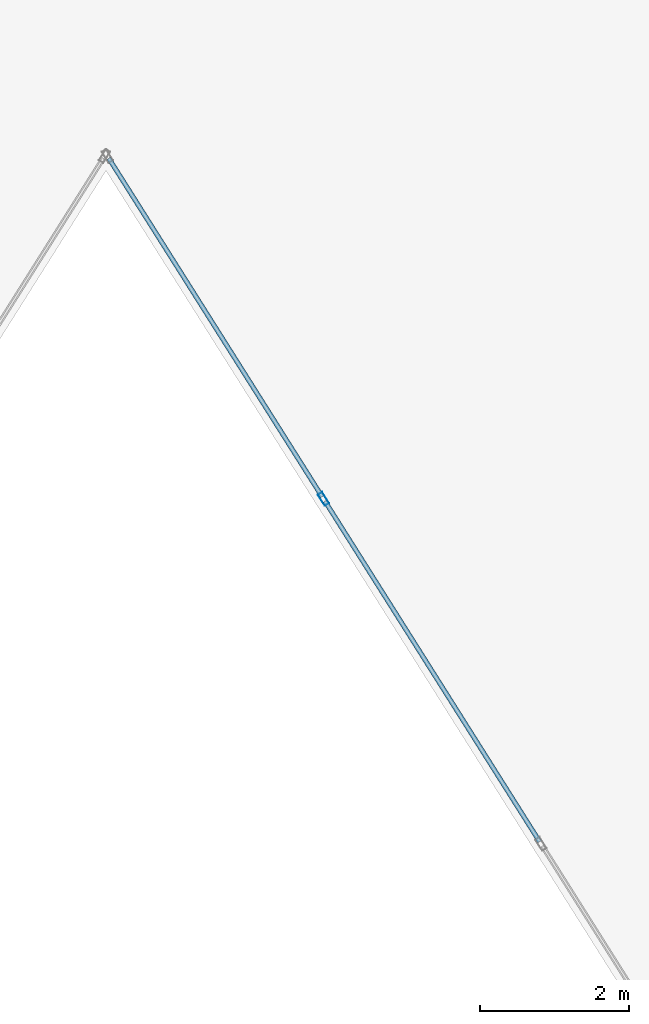
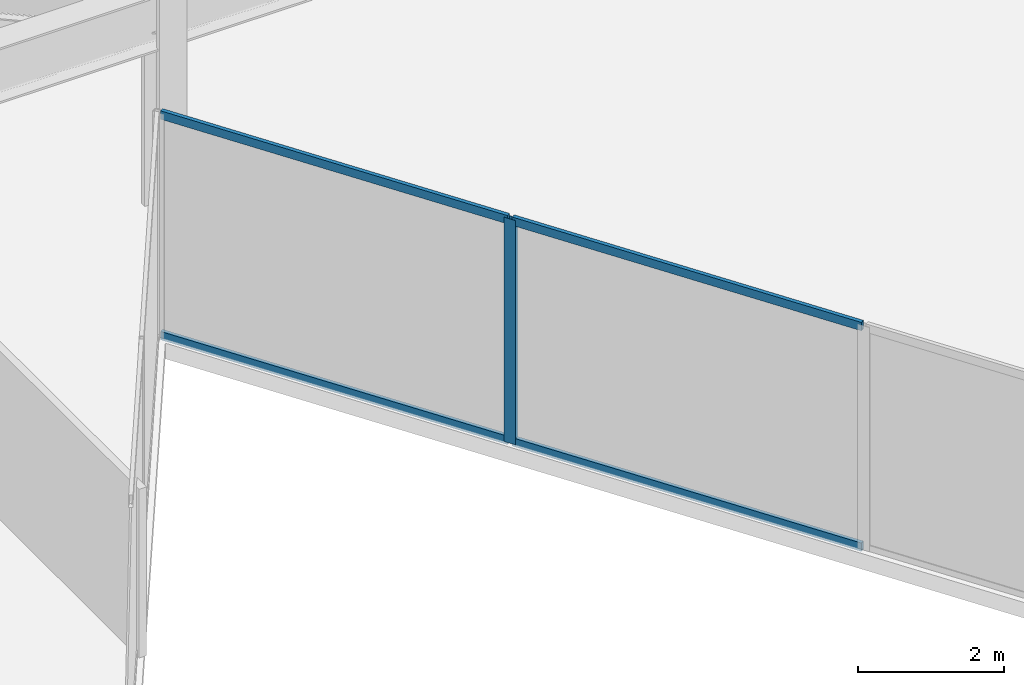
# One storey, part 15 of 24: 5 members, 1 element without a shape of its own.
"""IFC4 building model written with IfcOpenShell, lengths in metres."""

from ifc_helpers import new_model, si_unit, direction, frame, origin, origin_2d, place, context, subcontext, project, spatial, hollow_rectangle, extrude, material, layer, layer_set, material_profile, profile_set, type_object, element, aggregate, save


model = new_model("IFC4")

# Units and contexts
model_context = context("Model", 3, precision=1e-05, world=origin(), true_north=direction((0.0, 1.0)))
body_context = subcontext(model_context, "Body", "Model", "MODEL_VIEW")
ifc_project = project(units=[si_unit("LENGTHUNIT", "METRE"), si_unit("AREAUNIT", "SQUARE_METRE"), si_unit("VOLUMEUNIT", "CUBIC_METRE"), si_unit("PLANEANGLEUNIT", "RADIAN"), si_unit("MASSUNIT", "GRAM", prefix="KILO")], contexts=[model_context])

# Site, building, storey
site_placement = place(None, origin())
site = spatial("IfcSite", under=ifc_project, at=site_placement, CompositionType="ELEMENT")
building_placement = place(site_placement, origin())
building = spatial("IfcBuilding", under=site, at=building_placement, Name="Kravanh Interchange Tower", CompositionType="ELEMENT")
storey_placement = place(building_placement, frame((0.0, 0.0, 61.5)))
storey = spatial("IfcBuildingStorey", under=building, at=storey_placement, Name="L14", CompositionType="ELEMENT", Elevation=61.5)

# Curtain wall, members
ifc_material_1 = material(Name="Anodised Bronze Aluminium", Category="aluminium")
ifc_layer = layer(ifc_material_1, 0.179931640625)
ifc_layer_set = layer_set([ifc_layer], Name="Unitised Curtain Wall System CW-Z1 Lower Office")
curtain_wall_type = type_object("IfcCurtainWallType", Name="Unitised Curtain Wall System CW-Z1 Lower Office", PredefinedType="NOTDEFINED", material=ifc_layer_set)
curtain_wall_placement = place(storey_placement, origin())
curtain_wall = element("IfcCurtainWall", 1, at=curtain_wall_placement, inside=storey, type_object=curtain_wall_type, Name="L14 Unitised Curtain Wall CW-L14-04", PredefinedType="NOTDEFINED")
ifc_material_2 = material(Name="Anodised Bronze Aluminium", Category="aluminium")
ifc_material_profile_1 = material_profile(ifc_material_2, hollow_rectangle(XDim=0.070068359375, YDim=0.179931640625, WallThickness=0.00390625, at=origin_2d()), Name="ALU70X180X4")
ifc_profile_set_1 = profile_set([ifc_material_profile_1], Name="Anodised Bronze Aluminium")
member_type_1 = type_object("IfcMemberType", Name="Curtain Wall Mullion ALU70X180X4 Bronze", PredefinedType="MULLION", material=ifc_profile_set_1)
member_1_placement = place(storey_placement, frame((39.913330078125, 19.60400390625, 0.0), z_axis=(0.0, 0.0, 1.0), x_axis=(-0.845925530786, -0.53330103728, 0.0)))
member_1 = element("IfcMember", 2, at=member_1_placement, type_object=member_type_1, Name="CW-Z1 mullion 5", PredefinedType="MULLION", context=body_context, shape_type="SweptSolid", body=[
    extrude(hollow_rectangle(XDim=0.070068359375, YDim=0.179931640625, WallThickness=0.00390625, at=origin_2d()), origin(), (0.0, 0.0, 1.0), 3.739990234375),
])
ifc_material_3 = material(Name="Anodised Bronze Aluminium", Category="aluminium")
ifc_material_profile_2 = material_profile(ifc_material_3, hollow_rectangle(XDim=0.06005859375, YDim=0.139892578125, WallThickness=0.00390625, at=origin_2d()), Name="ALU60X140X4")
ifc_profile_set_2 = profile_set([ifc_material_profile_2], Name="Anodised Bronze Aluminium")
member_type_2 = type_object("IfcMemberType", Name="Curtain Wall Transom ALU60X140X4 Bronze", PredefinedType="USERDEFINED", material=ifc_profile_set_2)
member_2_placement = place(storey_placement, frame((42.807861328125, 15.0126953125, 0.030029296875), z_axis=(-0.533311487456, 0.84591894254, 0.0), x_axis=(-0.84591894254, -0.533311487456, 0.0)))
member_2 = element("IfcMember", 3, at=member_2_placement, type_object=member_type_2, Name="CW-Z1 transom 4.1", ObjectType="TRANSOM", PredefinedType="USERDEFINED", context=body_context, shape_type="SweptSolid", body=[
    extrude(hollow_rectangle(XDim=0.06005859375, YDim=0.139892578125, WallThickness=0.00390625, at=origin_2d()), origin(), (0.0, 0.0, 1.0), 5.392578125),
])
member_3_placement = place(storey_placement, frame((42.807861328125, 15.0126953125, 3.7099609375), z_axis=(-0.533311487456, 0.84591894254, 0.0), x_axis=(-0.84591894254, -0.533311487456, 0.0)))
member_3 = element("IfcMember", 4, at=member_3_placement, type_object=member_type_2, Name="CW-Z1 transom 4.2", ObjectType="TRANSOM", PredefinedType="USERDEFINED", context=body_context, shape_type="SweptSolid", body=[
    extrude(hollow_rectangle(XDim=0.06005859375, YDim=0.139892578125, WallThickness=0.00390625, at=origin_2d()), origin(), (0.0, 0.0, 1.0), 5.392578125),
])
member_4_placement = place(storey_placement, frame((39.89453125, 19.633544921875, 0.030029296875), z_axis=(-0.533288163518, 0.845933646719, 0.0), x_axis=(-0.845933646719, -0.533288163518, 0.0)))
member_4 = element("IfcMember", 5, at=member_4_placement, type_object=member_type_2, Name="CW-Z1 transom 5.1", ObjectType="TRANSOM", PredefinedType="USERDEFINED", context=body_context, shape_type="SweptSolid", body=[
    extrude(hollow_rectangle(XDim=0.06005859375, YDim=0.139892578125, WallThickness=0.00390625, at=origin_2d()), origin(), (0.0, 0.0, 1.0), 5.357666015625),
])
member_5_placement = place(storey_placement, frame((39.89453125, 19.633544921875, 3.7099609375), z_axis=(-0.533288163518, 0.845933646719, 0.0), x_axis=(-0.845933646719, -0.533288163518, 0.0)))
member_5 = element("IfcMember", 6, at=member_5_placement, type_object=member_type_2, Name="CW-Z1 transom 5.2", ObjectType="TRANSOM", PredefinedType="USERDEFINED", context=body_context, shape_type="SweptSolid", body=[
    extrude(hollow_rectangle(XDim=0.06005859375, YDim=0.139892578125, WallThickness=0.00390625, at=origin_2d()), origin(), (0.0, 0.0, 1.0), 5.357666015625),
])
aggregate(curtain_wall, [member_1, member_2, member_3, member_4, member_5])

save(model, "model.ifc")
